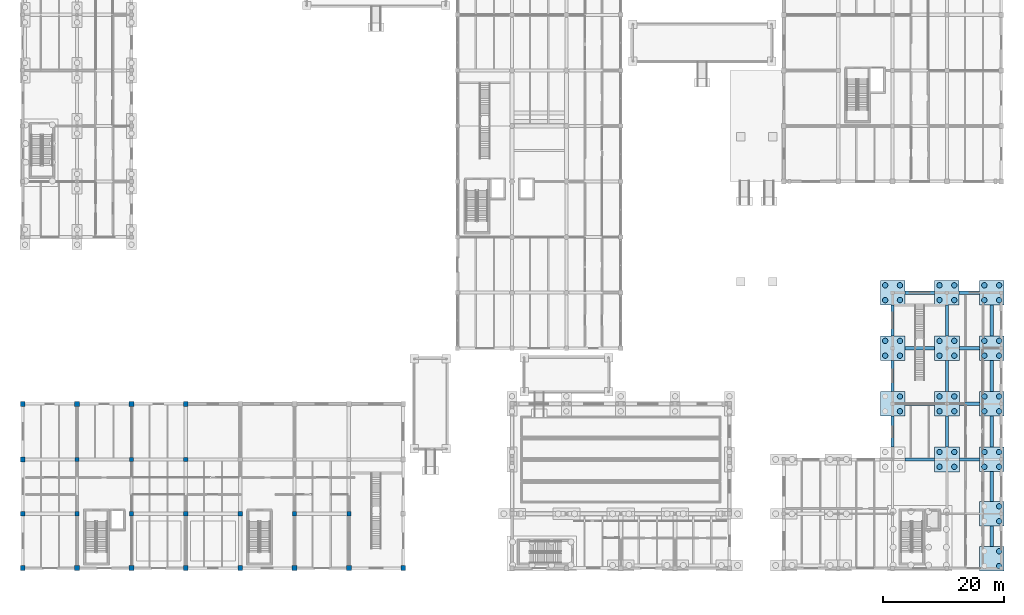
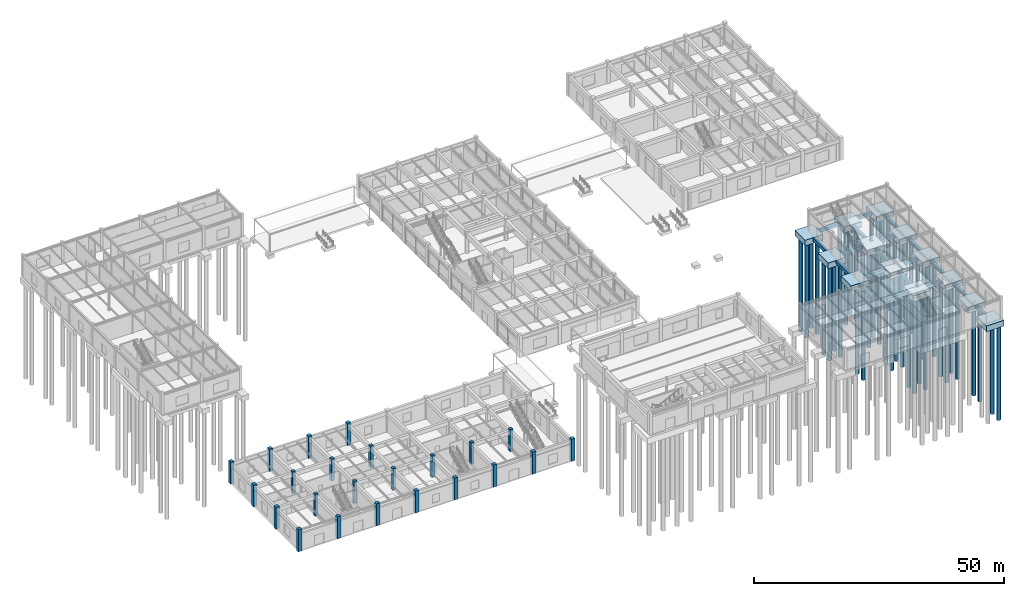
# One storey, part 3 of 76: 46 piles, 32 footings, 23 columns.
"""IFC4 building model written with IfcOpenShell, lengths in metres."""

from ifc_helpers import new_model, si_unit, direction, frame, origin, origin_2d, place, context, subcontext, project, spatial, rectangle, circle, extrude, material, material_profile, profile_set, type_object, element, save


model = new_model("IFC4")

# Units and contexts
model_context = context("Model", 3, precision=1e-05, world=origin(), true_north=direction((0.0, 1.0)))
body_context = subcontext(model_context, "Body", "Model", "MODEL_VIEW")
ifc_project = project(units=[si_unit("LENGTHUNIT", "METRE"), si_unit("AREAUNIT", "SQUARE_METRE"), si_unit("VOLUMEUNIT", "CUBIC_METRE"), si_unit("PLANEANGLEUNIT", "RADIAN"), si_unit("MASSUNIT", "GRAM", prefix="KILO")], contexts=[model_context])

# Site, building, storey
site_placement = place(None, origin())
site = spatial("IfcSite", under=ifc_project, at=site_placement, CompositionType="ELEMENT")
building_placement = place(site_placement, origin())
building = spatial("IfcBuilding", under=site, at=building_placement, Name="Bozkorgan Art Gallery", CompositionType="ELEMENT")
storey_placement = place(building_placement, origin())
storey = spatial("IfcBuildingStorey", under=building, at=storey_placement, Name="L00", CompositionType="ELEMENT", Elevation=0.0)

# Footings
ifc_material_1 = material(Name="Concrete C30/37", Category="concrete")
ifc_material_profile_1 = material_profile(ifc_material_1, rectangle(XDim=0.550048828125, YDim=0.75, at=origin_2d()), Name="FND 550x750")
ifc_profile_set_1 = profile_set([ifc_material_profile_1], Name="Concrete C30/37")
footing_type_1 = type_object("IfcFootingType", Name="FOOTING-FB-58", PredefinedType="FOOTING_BEAM", material=ifc_profile_set_1)
footing_1_placement = place(storey_placement, frame((148.050048828125, 20.0, -0.824951171875), z_axis=(1.0, 0.0, 0.0), x_axis=(0.0, 1.0, 0.0)))
element("IfcFooting", 1, at=footing_1_placement, inside=storey, type_object=footing_type_1, Name="V6 foundation tie beam X (146-155, 20.0)", PredefinedType="FOOTING_BEAM", context=body_context, shape_type="SweptSolid", body=[
    extrude(rectangle(XDim=0.550048828125, YDim=0.75, at=origin_2d()), origin(), (0.0, 0.0, 1.0), 4.89990234375),
])
footing_2_placement = place(storey_placement, frame((157.050048828125, 20.0, -0.824951171875), z_axis=(1.0, 0.0, 0.0), x_axis=(0.0, 1.0, 0.0)))
element("IfcFooting", 2, at=footing_2_placement, inside=storey, type_object=footing_type_1, Name="V6 foundation tie beam X (155-164, 20.0)", PredefinedType="FOOTING_BEAM", context=body_context, shape_type="SweptSolid", body=[
    extrude(rectangle(XDim=0.550048828125, YDim=0.75, at=origin_2d()), origin(), (0.0, 0.0, 1.0), 3.349853515625),
])
footing_3_placement = place(storey_placement, frame((148.02490234375, 29.199951171875, -0.824951171875), z_axis=(1.0, 0.0, 0.0), x_axis=(0.0, 1.0, 0.0)))
element("IfcFooting", 3, at=footing_3_placement, inside=storey, type_object=footing_type_1, Name="V6 foundation tie beam X (146-155, 29.2)", PredefinedType="FOOTING_BEAM", context=body_context, shape_type="SweptSolid", body=[
    extrude(rectangle(XDim=0.550048828125, YDim=0.75, at=origin_2d()), origin(), (0.0, 0.0, 1.0), 4.925048828125),
])
footing_4_placement = place(storey_placement, frame((157.050048828125, 29.199951171875, -0.824951171875), z_axis=(1.0, 0.0, 0.0), x_axis=(0.0, 1.0, 0.0)))
element("IfcFooting", 4, at=footing_4_placement, inside=storey, type_object=footing_type_1, Name="V6 foundation tie beam X (155-164, 29.2)", PredefinedType="FOOTING_BEAM", context=body_context, shape_type="SweptSolid", body=[
    extrude(rectangle(XDim=0.550048828125, YDim=0.75, at=origin_2d()), origin(), (0.0, 0.0, 1.0), 3.349853515625),
])
footing_5_placement = place(storey_placement, frame((148.02490234375, 38.39990234375, -0.824951171875), z_axis=(1.0, 0.0, 0.0), x_axis=(0.0, 1.0, 0.0)))
element("IfcFooting", 5, at=footing_5_placement, inside=storey, type_object=footing_type_1, Name="V6 foundation tie beam X (146-155, 38.4)", PredefinedType="FOOTING_BEAM", context=body_context, shape_type="SweptSolid", body=[
    extrude(rectangle(XDim=0.550048828125, YDim=0.75, at=origin_2d()), origin(), (0.0, 0.0, 1.0), 4.925048828125),
])
footing_6_placement = place(storey_placement, frame((157.050048828125, 38.39990234375, -0.824951171875), z_axis=(1.0, 0.0, 0.0), x_axis=(0.0, 1.0, 0.0)))
element("IfcFooting", 6, at=footing_6_placement, inside=storey, type_object=footing_type_1, Name="V6 foundation tie beam X (155-164, 38.4)", PredefinedType="FOOTING_BEAM", context=body_context, shape_type="SweptSolid", body=[
    extrude(rectangle(XDim=0.550048828125, YDim=0.75, at=origin_2d()), origin(), (0.0, 0.0, 1.0), 3.349853515625),
])
footing_7_placement = place(storey_placement, frame((148.02490234375, 47.60009765625, -0.824951171875), z_axis=(1.0, 0.0, 0.0), x_axis=(0.0, 1.0, 0.0)))
element("IfcFooting", 7, at=footing_7_placement, inside=storey, type_object=footing_type_1, Name="V6 foundation tie beam X (146-155, 47.6)", PredefinedType="FOOTING_BEAM", context=body_context, shape_type="SweptSolid", body=[
    extrude(rectangle(XDim=0.550048828125, YDim=0.75, at=origin_2d()), origin(), (0.0, 0.0, 1.0), 4.9501953125),
])
footing_8_placement = place(storey_placement, frame((157.02490234375, 47.60009765625, -0.824951171875), z_axis=(1.0, 0.0, 0.0), x_axis=(0.0, 1.0, 0.0)))
element("IfcFooting", 8, at=footing_8_placement, inside=storey, type_object=footing_type_1, Name="V6 foundation tie beam X (155-164, 47.6)", PredefinedType="FOOTING_BEAM", context=body_context, shape_type="SweptSolid", body=[
    extrude(rectangle(XDim=0.550048828125, YDim=0.75, at=origin_2d()), origin(), (0.0, 0.0, 1.0), 3.375),
])
footing_9_placement = place(storey_placement, frame((146.0, 22.050048828125, -0.824951171875), z_axis=(0.0, 1.0, 0.0), x_axis=(-1.0, 0.0, 0.0)))
element("IfcFooting", 9, at=footing_9_placement, inside=storey, type_object=footing_type_1, Name="V6 foundation tie beam Y (146, 20.0-29.2)", PredefinedType="FOOTING_BEAM", context=body_context, shape_type="SweptSolid", body=[
    extrude(rectangle(XDim=0.550048828125, YDim=0.75, at=origin_2d()), origin(), (0.0, 0.0, 1.0), 5.125),
])
for number, where, z_axis, x_axis, name in (
    (10, (146.0, 31.22509765625, -0.824951171875), (0.0, 1.0, 0.0), (-1.0, 0.0, 0.0), "V6 foundation tie beam Y (146, 29.2-38.4)"),
    (11, (146.0, 40.425048828125, -0.824951171875), (0.0, 1.0, 0.0), (-1.0, 0.0, 0.0), "V6 foundation tie beam Y (146, 38.4-47.6)"),
):
    element("IfcFooting", number, at=place(storey_placement, frame(where, z_axis=z_axis, x_axis=x_axis)), inside=storey, type_object=footing_type_1, Name=name, PredefinedType="FOOTING_BEAM", context=body_context, shape_type="SweptSolid", body=[
        extrude(rectangle(XDim=0.550048828125, YDim=0.75, at=origin_2d()), origin(), (0.0, 0.0, 1.0), 5.14990234375),
    ])
footing_10_placement = place(storey_placement, frame((155.0, 22.050048828125, -0.824951171875), z_axis=(0.0, 1.0, 0.0), x_axis=(-1.0, 0.0, 0.0)))
element("IfcFooting", 12, at=footing_10_placement, inside=storey, type_object=footing_type_1, Name="V6 foundation tie beam Y (155, 20.0-29.2)", PredefinedType="FOOTING_BEAM", context=body_context, shape_type="SweptSolid", body=[
    extrude(rectangle(XDim=0.550048828125, YDim=0.75, at=origin_2d()), origin(), (0.0, 0.0, 1.0), 5.099853515625),
])
footing_11_placement = place(storey_placement, frame((155.0, 31.25, -0.824951171875), z_axis=(0.0, 1.0, 0.0), x_axis=(-1.0, 0.0, 0.0)))
element("IfcFooting", 13, at=footing_11_placement, inside=storey, type_object=footing_type_1, Name="V6 foundation tie beam Y (155, 29.2-38.4)", PredefinedType="FOOTING_BEAM", context=body_context, shape_type="SweptSolid", body=[
    extrude(rectangle(XDim=0.550048828125, YDim=0.75, at=origin_2d()), origin(), (0.0, 0.0, 1.0), 5.10009765625),
])
footing_12_placement = place(storey_placement, frame((155.0, 40.449951171875, -0.824951171875), z_axis=(0.0, 1.0, 0.0), x_axis=(-1.0, 0.0, 0.0)))
element("IfcFooting", 14, at=footing_12_placement, inside=storey, type_object=footing_type_1, Name="V6 foundation tie beam Y (155, 38.4-47.6)", PredefinedType="FOOTING_BEAM", context=body_context, shape_type="SweptSolid", body=[
    extrude(rectangle(XDim=0.550048828125, YDim=0.75, at=origin_2d()), origin(), (0.0, 0.0, 1.0), 5.125),
])
footing_13_placement = place(storey_placement, frame((162.425048828125, 5.60009765625, -0.824951171875), z_axis=(0.0, 1.0, 0.0), x_axis=(-1.0, 0.0, 0.0)))
element("IfcFooting", 15, at=footing_13_placement, inside=storey, type_object=footing_type_1, Name="V6 foundation tie beam Y (164, 2.0-11.0)", PredefinedType="FOOTING_BEAM", context=body_context, shape_type="SweptSolid", body=[
    extrude(rectangle(XDim=0.550048828125, YDim=0.75, at=origin_2d()), origin(), (0.0, 0.0, 1.0), 3.375),
])
footing_14_placement = place(storey_placement, frame((162.425048828125, 13.02490234375, -0.824951171875), z_axis=(0.0, 1.0, 0.0), x_axis=(-1.0, 0.0, 0.0)))
element("IfcFooting", 16, at=footing_14_placement, inside=storey, type_object=footing_type_1, Name="V6 foundation tie beam Y (164, 11.0-20.0)", PredefinedType="FOOTING_BEAM", context=body_context, shape_type="SweptSolid", body=[
    extrude(rectangle(XDim=0.550048828125, YDim=0.75, at=origin_2d()), origin(), (0.0, 0.0, 1.0), 4.9501953125),
])
footing_15_placement = place(storey_placement, frame((162.425048828125, 22.02490234375, -0.824951171875), z_axis=(0.0, 1.0, 0.0), x_axis=(-1.0, 0.0, 0.0)))
element("IfcFooting", 17, at=footing_15_placement, inside=storey, type_object=footing_type_1, Name="V6 foundation tie beam Y (164, 20.0-29.2)", PredefinedType="FOOTING_BEAM", context=body_context, shape_type="SweptSolid", body=[
    extrude(rectangle(XDim=0.550048828125, YDim=0.75, at=origin_2d()), origin(), (0.0, 0.0, 1.0), 5.150146484375),
])
for number, where, z_axis, x_axis, name in (
    (18, (162.425048828125, 31.22509765625, -0.824951171875), (0.0, 1.0, 0.0), (-1.0, 0.0, 0.0), "V6 foundation tie beam Y (164, 29.2-38.4)"),
    (19, (162.425048828125, 40.425048828125, -0.824951171875), (0.0, 1.0, 0.0), (-1.0, 0.0, 0.0), "V6 foundation tie beam Y (164, 38.4-47.6)"),
):
    element("IfcFooting", number, at=place(storey_placement, frame(where, z_axis=z_axis, x_axis=x_axis)), inside=storey, type_object=footing_type_1, Name=name, PredefinedType="FOOTING_BEAM", context=body_context, shape_type="SweptSolid", body=[
        extrude(rectangle(XDim=0.550048828125, YDim=0.75, at=origin_2d()), origin(), (0.0, 0.0, 1.0), 5.14990234375),
    ])
footing_type_2 = type_object("IfcFootingType", Name="FOOTING-PC-07", PredefinedType="PILE_CAP", material=ifc_material_1)
for number, where, z_axis, x_axis, name in (
    (20, (155.0, 20.0, -1.89990234375), (0.0, 0.0, 1.0), (1.0, 0.0, 0.0), "V6 pile cap (155.0, 20.0)"),
    (21, (155.0, 29.199951171875, -1.89990234375), (0.0, 0.0, 1.0), (1.0, 0.0, 0.0), "V6 pile cap (155.0, 29.2)"),
    (22, (155.0, 38.39990234375, -1.89990234375), (0.0, 0.0, 1.0), (1.0, 0.0, 0.0), "V6 pile cap (155.0, 38.4)"),
):
    element("IfcFooting", number, at=place(storey_placement, frame(where, z_axis=z_axis, x_axis=x_axis)), inside=storey, type_object=footing_type_2, Name=name, PredefinedType="PILE_CAP", context=body_context, shape_type="SweptSolid", body=[
        extrude(rectangle(XDim=4.10009765625, YDim=4.10009765625, at=origin_2d()), origin(), (0.0, 0.0, 1.0), 1.449951171875),
    ])
footing_type_3 = type_object("IfcFootingType", Name="FOOTING-PC-74", PredefinedType="PILE_CAP", material=ifc_material_1)
for number, where, z_axis, x_axis, name in (
    (23, (146.0, 29.199951171875, -1.849853515625), (0.0, 0.0, 1.0), (1.0, 0.0, 0.0), "V6 pile cap (146.0, 29.2)"),
    (24, (146.0, 38.39990234375, -1.849853515625), (0.0, 0.0, 1.0), (1.0, 0.0, 0.0), "V6 pile cap (146.0, 38.4)"),
    (25, (146.0, 47.60009765625, -1.849853515625), (0.0, 0.0, 1.0), (1.0, 0.0, 0.0), "V6 pile cap (146.0, 47.6)"),
    (26, (155.0, 47.60009765625, -1.849853515625), (0.0, 0.0, 1.0), (1.0, 0.0, 0.0), "V6 pile cap (155.0, 47.6)"),
    (27, (162.425048828125, 3.574951171875, -1.849853515625), (0.0, 0.0, 1.0), (1.0, 0.0, 0.0), "V6 pile cap (164.0, 2.0)"),
    (28, (162.425048828125, 11.0, -1.849853515625), (0.0, 0.0, 1.0), (1.0, 0.0, 0.0), "V6 pile cap (164.0, 11.0)"),
    (29, (162.425048828125, 20.0, -1.849853515625), (0.0, 0.0, 1.0), (1.0, 0.0, 0.0), "V6 pile cap (164.0, 20.0)"),
    (30, (162.425048828125, 29.199951171875, -1.849853515625), (0.0, 0.0, 1.0), (1.0, 0.0, 0.0), "V6 pile cap (164.0, 29.2)"),
    (31, (162.425048828125, 38.39990234375, -1.849853515625), (0.0, 0.0, 1.0), (1.0, 0.0, 0.0), "V6 pile cap (164.0, 38.4)"),
    (32, (162.425048828125, 47.60009765625, -1.849853515625), (0.0, 0.0, 1.0), (1.0, 0.0, 0.0), "V6 pile cap (164.0, 47.6)"),
):
    element("IfcFooting", number, at=place(storey_placement, frame(where, z_axis=z_axis, x_axis=x_axis)), inside=storey, type_object=footing_type_3, Name=name, PredefinedType="PILE_CAP", context=body_context, shape_type="SweptSolid", body=[
        extrude(rectangle(XDim=4.050048828125, YDim=4.050048828125, at=origin_2d()), origin(), (0.0, 0.0, 1.0), 1.39990234375),
    ])

# Piles
ifc_material_profile_2 = material_profile(ifc_material_1, circle(Radius=0.449951171875, at=origin_2d()), Name="PILE D900")
ifc_profile_set_2 = profile_set([ifc_material_profile_2], Name="Concrete C30/37")
pile_type = type_object("IfcPileType", Name="PILE-P-65", PredefinedType="BORED", material=ifc_profile_set_2)
for number, where, z_axis, x_axis, name in (
    (33, (147.22509765625, 27.97509765625, -1.75), (0.0, 0.0, -1.0), (1.0, 0.0, 0.0), "V6 pile (146.0, 29.2) #2"),
    (34, (147.22509765625, 30.425048828125, -1.75), (0.0, 0.0, -1.0), (1.0, 0.0, 0.0), "V6 pile (146.0, 29.2) #4"),
    (35, (144.77490234375, 37.175048828125, -1.75), (0.0, 0.0, -1.0), (1.0, 0.0, 0.0), "V6 pile (146.0, 38.4) #1"),
    (36, (147.22509765625, 37.175048828125, -1.75), (0.0, 0.0, -1.0), (1.0, 0.0, 0.0), "V6 pile (146.0, 38.4) #2"),
    (37, (144.77490234375, 39.625, -1.75), (0.0, 0.0, -1.0), (1.0, 0.0, 0.0), "V6 pile (146.0, 38.4) #3"),
    (38, (147.22509765625, 39.625, -1.75), (0.0, 0.0, -1.0), (1.0, 0.0, 0.0), "V6 pile (146.0, 38.4) #4"),
    (39, (144.77490234375, 46.375, -1.75), (0.0, 0.0, -1.0), (1.0, 0.0, 0.0), "V6 pile (146.0, 47.6) #1"),
    (40, (147.22509765625, 46.375, -1.75), (0.0, 0.0, -1.0), (1.0, 0.0, 0.0), "V6 pile (146.0, 47.6) #2"),
    (41, (144.77490234375, 48.824951171875, -1.75), (0.0, 0.0, -1.0), (1.0, 0.0, 0.0), "V6 pile (146.0, 47.6) #3"),
    (42, (147.22509765625, 48.824951171875, -1.75), (0.0, 0.0, -1.0), (1.0, 0.0, 0.0), "V6 pile (146.0, 47.6) #4"),
):
    element("IfcPile", number, at=place(storey_placement, frame(where, z_axis=z_axis, x_axis=x_axis)), inside=storey, type_object=pile_type, Name=name, PredefinedType="BORED", context=body_context, shape_type="SweptSolid", body=[
        extrude(circle(Radius=0.449951171875, at=origin_2d()), origin(), (0.0, 0.0, 1.0), 23.050048828125),
    ])
for number, where, z_axis, x_axis, name in (
    (43, (153.77490234375, 18.77490234375, -1.800048828125), (0.0, 0.0, -1.0), (1.0, 0.0, 0.0), "V6 pile (155.0, 20.0) #1"),
    (44, (156.22509765625, 18.77490234375, -1.800048828125), (0.0, 0.0, -1.0), (1.0, 0.0, 0.0), "V6 pile (155.0, 20.0) #2"),
    (45, (153.77490234375, 21.22509765625, -1.800048828125), (0.0, 0.0, -1.0), (1.0, 0.0, 0.0), "V6 pile (155.0, 20.0) #3"),
    (46, (156.22509765625, 21.22509765625, -1.800048828125), (0.0, 0.0, -1.0), (1.0, 0.0, 0.0), "V6 pile (155.0, 20.0) #4"),
    (47, (153.77490234375, 27.97509765625, -1.800048828125), (0.0, 0.0, -1.0), (1.0, 0.0, 0.0), "V6 pile (155.0, 29.2) #1"),
    (48, (156.22509765625, 27.97509765625, -1.800048828125), (0.0, 0.0, -1.0), (1.0, 0.0, 0.0), "V6 pile (155.0, 29.2) #2"),
    (49, (153.77490234375, 30.425048828125, -1.800048828125), (0.0, 0.0, -1.0), (1.0, 0.0, 0.0), "V6 pile (155.0, 29.2) #3"),
    (50, (156.22509765625, 30.425048828125, -1.800048828125), (0.0, 0.0, -1.0), (1.0, 0.0, 0.0), "V6 pile (155.0, 29.2) #4"),
    (51, (153.77490234375, 37.175048828125, -1.800048828125), (0.0, 0.0, -1.0), (1.0, 0.0, 0.0), "V6 pile (155.0, 38.4) #1"),
    (52, (156.22509765625, 37.175048828125, -1.800048828125), (0.0, 0.0, -1.0), (1.0, 0.0, 0.0), "V6 pile (155.0, 38.4) #2"),
    (53, (153.77490234375, 39.625, -1.800048828125), (0.0, 0.0, -1.0), (1.0, 0.0, 0.0), "V6 pile (155.0, 38.4) #3"),
    (54, (156.22509765625, 39.625, -1.800048828125), (0.0, 0.0, -1.0), (1.0, 0.0, 0.0), "V6 pile (155.0, 38.4) #4"),
):
    element("IfcPile", number, at=place(storey_placement, frame(where, z_axis=z_axis, x_axis=x_axis)), inside=storey, type_object=pile_type, Name=name, PredefinedType="BORED", context=body_context, shape_type="SweptSolid", body=[
        extrude(circle(Radius=0.449951171875, at=origin_2d()), origin(), (0.0, 0.0, 1.0), 23.0),
    ])
for number, where, z_axis, x_axis, name in (
    (55, (153.77490234375, 46.375, -1.75), (0.0, 0.0, -1.0), (1.0, 0.0, 0.0), "V6 pile (155.0, 47.6) #1"),
    (56, (156.22509765625, 46.375, -1.75), (0.0, 0.0, -1.0), (1.0, 0.0, 0.0), "V6 pile (155.0, 47.6) #2"),
    (57, (153.77490234375, 48.824951171875, -1.75), (0.0, 0.0, -1.0), (1.0, 0.0, 0.0), "V6 pile (155.0, 47.6) #3"),
    (58, (156.22509765625, 48.824951171875, -1.75), (0.0, 0.0, -1.0), (1.0, 0.0, 0.0), "V6 pile (155.0, 47.6) #4"),
    (59, (163.64990234375, 2.35009765625, -1.75), (0.0, 0.0, -1.0), (1.0, 0.0, 0.0), "V6 pile (164.0, 2.0) #2"),
    (60, (163.64990234375, 4.800048828125, -1.75), (0.0, 0.0, -1.0), (1.0, 0.0, 0.0), "V6 pile (164.0, 2.0) #4"),
    (61, (163.64990234375, 9.77490234375, -1.75), (0.0, 0.0, -1.0), (1.0, 0.0, 0.0), "V6 pile (164.0, 11.0) #2"),
    (62, (163.64990234375, 12.22509765625, -1.75), (0.0, 0.0, -1.0), (1.0, 0.0, 0.0), "V6 pile (164.0, 11.0) #4"),
    (63, (161.199951171875, 18.77490234375, -1.75), (0.0, 0.0, -1.0), (1.0, 0.0, 0.0), "V6 pile (164.0, 20.0) #1"),
    (64, (163.64990234375, 18.77490234375, -1.75), (0.0, 0.0, -1.0), (1.0, 0.0, 0.0), "V6 pile (164.0, 20.0) #2"),
    (65, (161.199951171875, 21.22509765625, -1.75), (0.0, 0.0, -1.0), (1.0, 0.0, 0.0), "V6 pile (164.0, 20.0) #3"),
    (66, (163.64990234375, 21.22509765625, -1.75), (0.0, 0.0, -1.0), (1.0, 0.0, 0.0), "V6 pile (164.0, 20.0) #4"),
    (67, (161.199951171875, 27.97509765625, -1.75), (0.0, 0.0, -1.0), (1.0, 0.0, 0.0), "V6 pile (164.0, 29.2) #1"),
    (68, (163.64990234375, 27.97509765625, -1.75), (0.0, 0.0, -1.0), (1.0, 0.0, 0.0), "V6 pile (164.0, 29.2) #2"),
    (69, (161.199951171875, 30.425048828125, -1.75), (0.0, 0.0, -1.0), (1.0, 0.0, 0.0), "V6 pile (164.0, 29.2) #3"),
    (70, (163.64990234375, 30.425048828125, -1.75), (0.0, 0.0, -1.0), (1.0, 0.0, 0.0), "V6 pile (164.0, 29.2) #4"),
    (71, (161.199951171875, 37.175048828125, -1.75), (0.0, 0.0, -1.0), (1.0, 0.0, 0.0), "V6 pile (164.0, 38.4) #1"),
    (72, (163.64990234375, 37.175048828125, -1.75), (0.0, 0.0, -1.0), (1.0, 0.0, 0.0), "V6 pile (164.0, 38.4) #2"),
    (73, (161.199951171875, 39.625, -1.75), (0.0, 0.0, -1.0), (1.0, 0.0, 0.0), "V6 pile (164.0, 38.4) #3"),
    (74, (163.64990234375, 39.625, -1.75), (0.0, 0.0, -1.0), (1.0, 0.0, 0.0), "V6 pile (164.0, 38.4) #4"),
    (75, (161.199951171875, 46.375, -1.75), (0.0, 0.0, -1.0), (1.0, 0.0, 0.0), "V6 pile (164.0, 47.6) #1"),
    (76, (163.64990234375, 46.375, -1.75), (0.0, 0.0, -1.0), (1.0, 0.0, 0.0), "V6 pile (164.0, 47.6) #2"),
    (77, (161.199951171875, 48.824951171875, -1.75), (0.0, 0.0, -1.0), (1.0, 0.0, 0.0), "V6 pile (164.0, 47.6) #3"),
    (78, (163.64990234375, 48.824951171875, -1.75), (0.0, 0.0, -1.0), (1.0, 0.0, 0.0), "V6 pile (164.0, 47.6) #4"),
):
    element("IfcPile", number, at=place(storey_placement, frame(where, z_axis=z_axis, x_axis=x_axis)), inside=storey, type_object=pile_type, Name=name, PredefinedType="BORED", context=body_context, shape_type="SweptSolid", body=[
        extrude(circle(Radius=0.449951171875, at=origin_2d()), origin(), (0.0, 0.0, 1.0), 23.050048828125),
    ])

# Columns
ifc_material_2 = material(Name="Concrete C40/50", Category="concrete")
ifc_material_profile_3 = material_profile(ifc_material_2, rectangle(XDim=0.699951171875, YDim=0.699951171875, at=origin_2d()), Name="RC 700x700")
ifc_profile_set_3 = profile_set([ifc_material_profile_3], Name="Concrete C40/50")
column_type_1 = type_object("IfcColumnType", Name="COLUMN-C-11", PredefinedType="COLUMN", material=ifc_profile_set_3)
for number, where, z_axis, x_axis, name in (
    (79, (11.0, 11.0, 0.0), (0.0, 0.0, 1.0), (1.0, 0.0, 0.0), "V1 L00 column (11.0, 11.0)"),
    (80, (11.0, 20.0, 0.0), (0.0, 0.0, 1.0), (1.0, 0.0, 0.0), "V1 L00 column (11.0, 20.0)"),
    (81, (20.0, 11.0, 0.0), (0.0, 0.0, 1.0), (1.0, 0.0, 0.0), "V1 L00 column (20.0, 11.0)"),
    (82, (20.0, 20.0, 0.0), (0.0, 0.0, 1.0), (1.0, 0.0, 0.0), "V1 L00 column (20.0, 20.0)"),
    (83, (29.0, 11.0, 0.0), (0.0, 0.0, 1.0), (1.0, 0.0, 0.0), "V1 L00 column (29.0, 11.0)"),
    (84, (29.0, 20.0, 0.0), (0.0, 0.0, 1.0), (1.0, 0.0, 0.0), "V1 L00 column (29.0, 20.0)"),
    (85, (38.0, 11.0, 0.0), (0.0, 0.0, 1.0), (1.0, 0.0, 0.0), "V1 L00 column (38.0, 11.0)"),
    (86, (47.0, 11.0, 0.0), (0.0, 0.0, 1.0), (1.0, 0.0, 0.0), "V1 L00 column (47.0, 11.0)"),
    (87, (56.0, 11.0, 0.0), (0.0, 0.0, 1.0), (1.0, 0.0, 0.0), "V1 L00 column (56.0, 11.0)"),
):
    element("IfcColumn", number, at=place(storey_placement, frame(where, z_axis=z_axis, x_axis=x_axis)), inside=storey, type_object=column_type_1, Name=name, PredefinedType="COLUMN", context=body_context, shape_type="SweptSolid", body=[
        extrude(rectangle(XDim=0.699951171875, YDim=0.699951171875, at=origin_2d()), origin(), (0.0, 0.0, 1.0), 5.39990234375),
    ])
ifc_material_profile_4 = material_profile(ifc_material_2, rectangle(XDim=0.800048828125, YDim=0.800048828125, at=origin_2d()), Name="RC 800x800")
ifc_profile_set_4 = profile_set([ifc_material_profile_4], Name="Concrete C40/50")
column_type_2 = type_object("IfcColumnType", Name="COLUMN-C-45", PredefinedType="COLUMN", material=ifc_profile_set_4)
for number, where, z_axis, x_axis, name in (
    (88, (2.0, 2.0, 0.0), (0.0, 0.0, 1.0), (1.0, 0.0, 0.0), "V1 L00 column (2.0, 2.0)"),
    (89, (2.0, 11.0, 0.0), (0.0, 0.0, 1.0), (1.0, 0.0, 0.0), "V1 L00 column (2.0, 11.0)"),
    (90, (2.0, 20.0, 0.0), (0.0, 0.0, 1.0), (1.0, 0.0, 0.0), "V1 L00 column (2.0, 20.0)"),
    (91, (2.0, 29.199951171875, 0.0), (0.0, 0.0, 1.0), (1.0, 0.0, 0.0), "V1 L00 column (2.0, 29.2)"),
    (92, (11.0, 2.0, 0.0), (0.0, 0.0, 1.0), (1.0, 0.0, 0.0), "V1 L00 column (11.0, 2.0)"),
    (93, (11.0, 29.199951171875, 0.0), (0.0, 0.0, 1.0), (1.0, 0.0, 0.0), "V1 L00 column (11.0, 29.2)"),
    (94, (20.0, 2.0, 0.0), (0.0, 0.0, 1.0), (1.0, 0.0, 0.0), "V1 L00 column (20.0, 2.0)"),
    (95, (20.0, 29.199951171875, 0.0), (0.0, 0.0, 1.0), (1.0, 0.0, 0.0), "V1 L00 column (20.0, 29.2)"),
    (96, (29.0, 2.0, 0.0), (0.0, 0.0, 1.0), (1.0, 0.0, 0.0), "V1 L00 column (29.0, 2.0)"),
    (97, (29.0, 29.199951171875, 0.0), (0.0, 0.0, 1.0), (1.0, 0.0, 0.0), "V1 L00 column (29.0, 29.2)"),
    (98, (38.0, 2.0, 0.0), (0.0, 0.0, 1.0), (1.0, 0.0, 0.0), "V1 L00 column (38.0, 2.0)"),
    (99, (47.0, 2.0, 0.0), (0.0, 0.0, 1.0), (1.0, 0.0, 0.0), "V1 L00 column (47.0, 2.0)"),
    (100, (56.0, 2.0, 0.0), (0.0, 0.0, 1.0), (1.0, 0.0, 0.0), "V1 L00 column (56.0, 2.0)"),
    (101, (65.0, 2.0, 0.0), (0.0, 0.0, 1.0), (1.0, 0.0, 0.0), "V1 L00 column (65.0, 2.0)"),
):
    element("IfcColumn", number, at=place(storey_placement, frame(where, z_axis=z_axis, x_axis=x_axis)), inside=storey, type_object=column_type_2, Name=name, PredefinedType="COLUMN", context=body_context, shape_type="SweptSolid", body=[
        extrude(rectangle(XDim=0.800048828125, YDim=0.800048828125, at=origin_2d()), origin(), (0.0, 0.0, 1.0), 5.39990234375),
    ])

save(model, "model.ifc")
